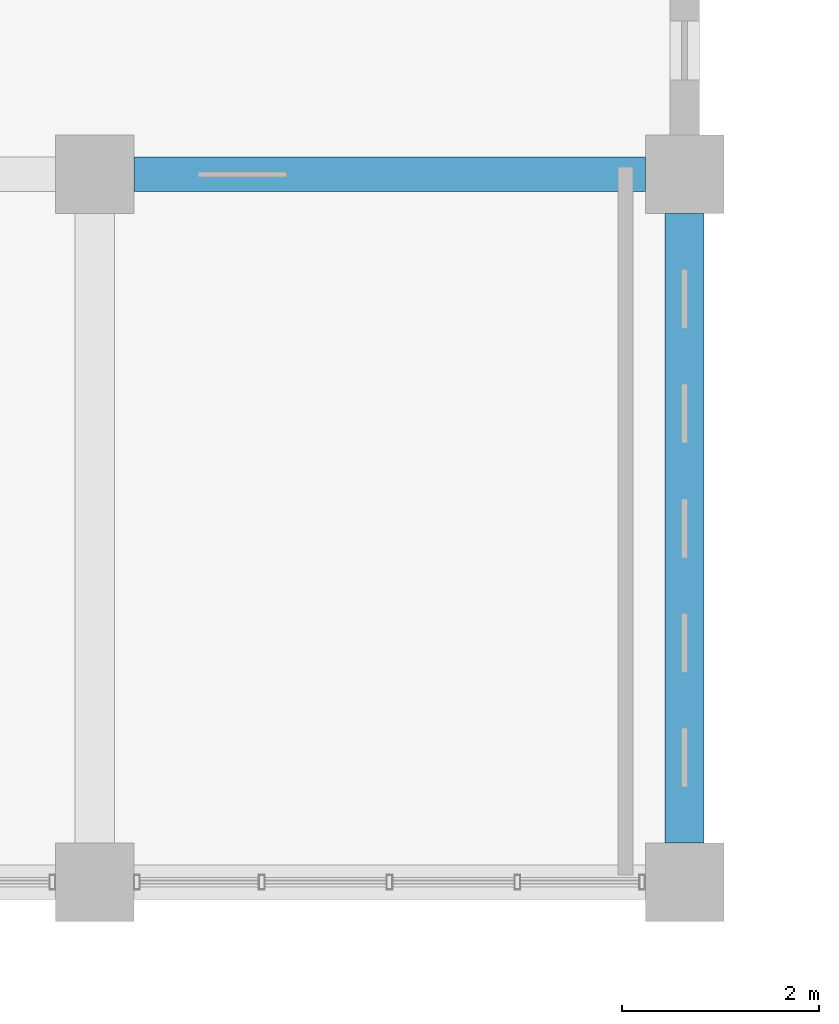
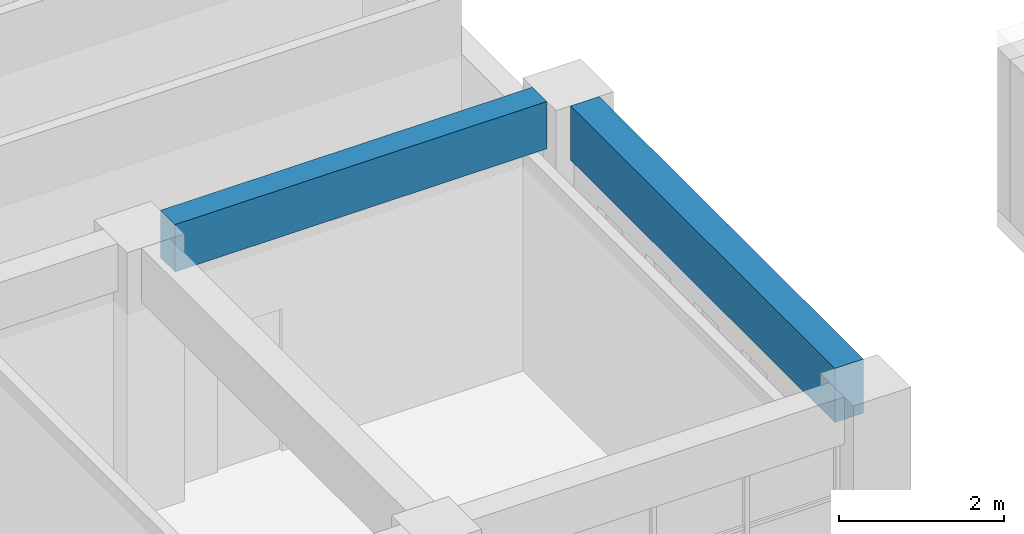
# One storey, part 18 of 51: 2 beams.
"""IFC4 building model written with IfcOpenShell, lengths in metres."""

from ifc_helpers import new_model, si_unit, direction, frame, origin, origin_2d, place, context, subcontext, project, spatial, rectangle, extrude, material, material_profile, profile_set, type_object, element, save


model = new_model("IFC4")

# Units and contexts
model_context = context("Model", 3, precision=1e-05, world=origin(), true_north=direction((0.0, 1.0)))
body_context = subcontext(model_context, "Body", "Model", "MODEL_VIEW")
ifc_project = project(units=[si_unit("LENGTHUNIT", "METRE"), si_unit("AREAUNIT", "SQUARE_METRE"), si_unit("VOLUMEUNIT", "CUBIC_METRE"), si_unit("PLANEANGLEUNIT", "RADIAN"), si_unit("MASSUNIT", "GRAM", prefix="KILO")], contexts=[model_context])

# Site, building, storey
site_placement = place(None, origin())
site = spatial("IfcSite", under=ifc_project, at=site_placement, CompositionType="ELEMENT")
building_placement = place(site_placement, origin())
building = spatial("IfcBuilding", under=site, at=building_placement, Name="Laocheng Heights Fire and Rescue Headquarters", CompositionType="ELEMENT")
storey_placement = place(building_placement, frame((0.0, 0.0, 21.0)))
storey = spatial("IfcBuildingStorey", under=building, at=storey_placement, Name="L05", CompositionType="ELEMENT", Elevation=21.0)

# Beams
ifc_material_1 = material(Name="Concrete C40", Category="concrete")
ifc_material_profile_1 = material_profile(ifc_material_1, rectangle(XDim=0.35009765625, YDim=0.699951171875, at=origin_2d()), Name="RC BEAM 350x700 HQ ROOF")
ifc_profile_set_1 = profile_set([ifc_material_profile_1], Name="Concrete C40")
beam_type_1 = type_object("IfcBeamType", Name="RC BEAM 350x700 HQ ROOF", PredefinedType="BEAM", material=ifc_profile_set_1)
beam_1_placement = place(storey_placement, frame((78.39990234375, 57.60009765625, 3.60009765625), z_axis=(1.0, 0.0, 0.0), x_axis=(0.0, 1.0, 0.0)))
element("IfcBeam", 1, at=beam_1_placement, inside=storey, type_object=beam_type_1, Name="HQ beam L05", PredefinedType="BEAM", context=body_context, shape_type="SweptSolid", body=[
    extrude(rectangle(XDim=0.35009765625, YDim=0.699951171875, at=origin_2d()), origin(), (0.0, 0.0, 1.0), 5.2001953125),
])
ifc_material_2 = material(Name="Concrete C40", Category="concrete")
ifc_material_profile_2 = material_profile(ifc_material_2, rectangle(XDim=0.39990234375, YDim=0.800048828125, at=origin_2d()), Name="RC BEAM 400x800 HQ ROOF")
ifc_profile_set_2 = profile_set([ifc_material_profile_2], Name="Concrete C40")
beam_type_2 = type_object("IfcBeamType", Name="RC BEAM 400x800 HQ ROOF", PredefinedType="BEAM", material=ifc_profile_set_2)
beam_2_placement = place(storey_placement, frame((84.0, 50.800048828125, 3.550048828125), z_axis=(0.0, 1.0, 0.0), x_axis=(-1.0, 0.0, 0.0)))
element("IfcBeam", 2, at=beam_2_placement, inside=storey, type_object=beam_type_2, Name="HQ beam L05", PredefinedType="BEAM", context=body_context, shape_type="SweptSolid", body=[
    extrude(rectangle(XDim=0.39990234375, YDim=0.800048828125, at=origin_2d()), origin(), (0.0, 0.0, 1.0), 6.39990234375),
])

save(model, "model.ifc")
